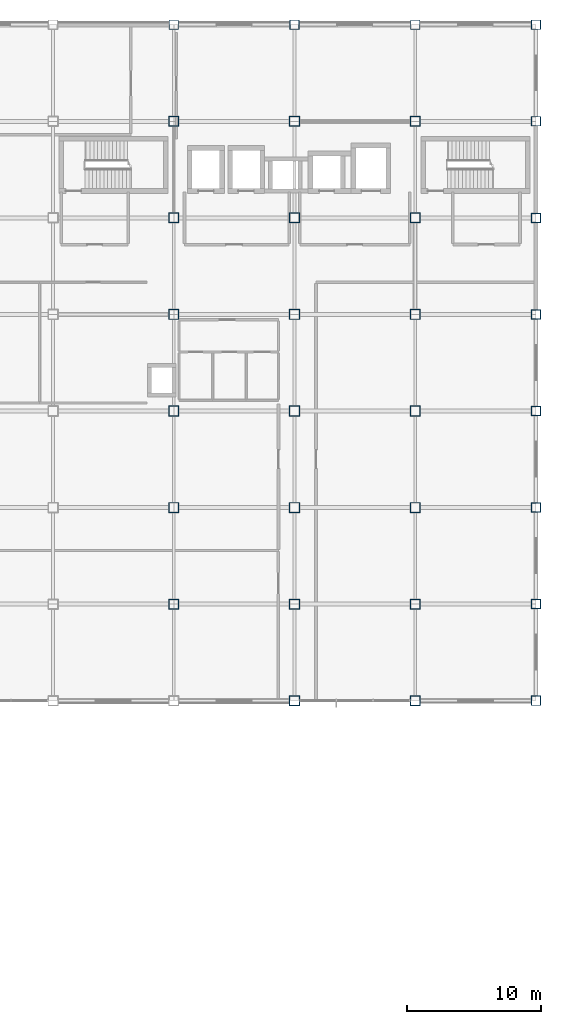
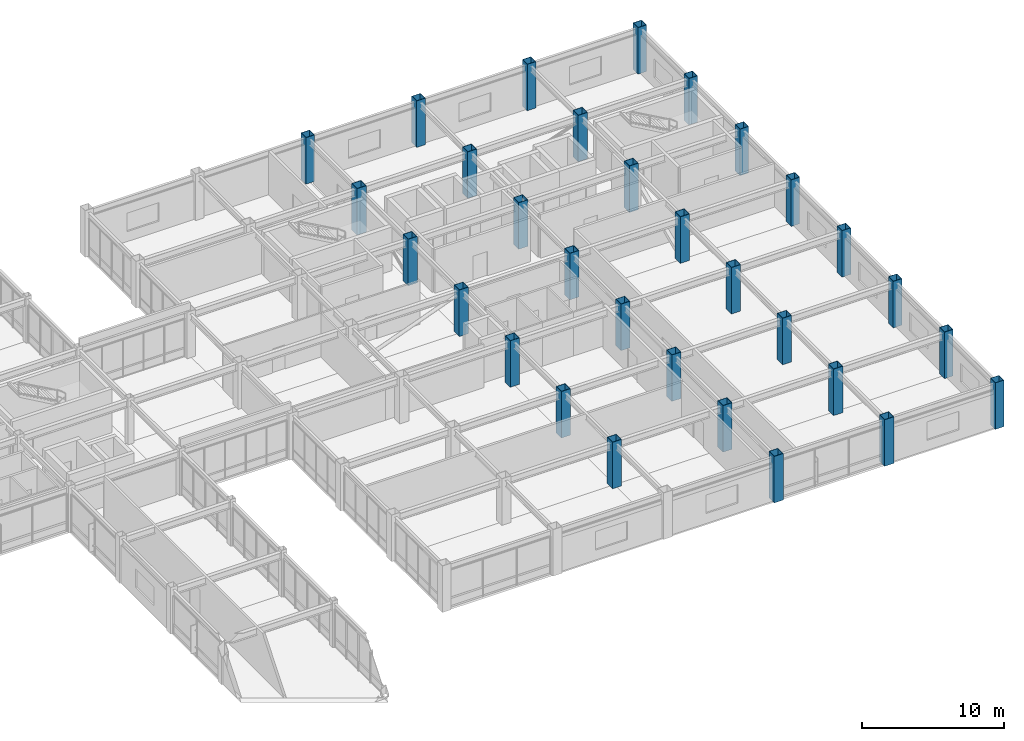
# One storey, part 10 of 122: 31 columns.
"""IFC4 building model written with IfcOpenShell, lengths in metres."""

import ifcopenshell
import ifcopenshell.guid

model = None  # the IFC model being written
_history = None  # IfcOwnerHistory: only IFC2X3 demands one
_inside = {}  # id of a spatial element -> (the spatial element, [elements in it])
_under = {}  # id of a project, library or spatial element -> (it, [spatial elements below it])
_declared = {}  # id of a project -> (the project, [libraries it declares])
_typed = {}  # id of a type object -> (the type object, [elements of that type])
_made_of = {}  # id of a material, layer set ... -> (it, [elements and type objects made of it])


def new_model(schema):
    """Start an empty IFC model of exactly this schema.

    Asked for "IFC4X3", IfcOpenShell would pick the latest addendum, in which some entities
    have other attributes; the version numbers below select the first issue.
    IFC2X3 requires an IfcOwnerHistory on every rooted entity: one is made here for all.
    """
    global model, _history
    if schema == "IFC4X3":
        model = ifcopenshell.file(schema_version=(4, 3, 0, 0))
    else:
        model = ifcopenshell.file(schema=schema)
    _inside.clear()
    _under.clear()
    _declared.clear()
    _typed.clear()
    _made_of.clear()
    _history = None
    if model.schema == "IFC2X3":
        org = make("IfcOrganization", Name="unknown")
        user = make(
            "IfcPersonAndOrganization",
            ThePerson=make("IfcPerson", FamilyName="unknown"),
            TheOrganization=org,
        )
        app = make(
            "IfcApplication",
            ApplicationDeveloper=org,
            Version="unknown",
            ApplicationFullName="unknown",
            ApplicationIdentifier="unknown",
        )
        _history = make(
            "IfcOwnerHistory",
            OwningUser=user,
            OwningApplication=app,
            ChangeAction="ADDED",
            CreationDate=0,
        )
    return model


def make(cls, **values):
    """One entity of the class cls with the attributes given. An attribute that is None is left unset."""
    return model.create_entity(
        cls, **{name: value for name, value in values.items() if value is not None}
    )


def rooted(cls, **values):
    """An entity with a GlobalId (a new one), such as an element, a storey or a relation."""
    return make(cls, GlobalId=ifcopenshell.guid.new(), OwnerHistory=_history, **values)


def si_unit(unit_type, name, prefix=None):
    """IfcSIUnit, for example si_unit("LENGTHUNIT", "METRE", prefix="MILLI")."""
    return make("IfcSIUnit", UnitType=unit_type, Prefix=prefix, Name=name)


def assignment(units):
    """IfcUnitAssignment: the units of a project."""
    return None if units is None else make("IfcUnitAssignment", Units=units)


def point(xyz):
    """IfcCartesianPoint."""
    return None if xyz is None else make("IfcCartesianPoint", Coordinates=xyz)


def direction(xyz):
    """IfcDirection."""
    return None if xyz is None else make("IfcDirection", DirectionRatios=xyz)


def frame(location, z_axis=None, x_axis=None):
    """IfcAxis2Placement3D, a coordinate frame: its origin and axes. An axis left out is left unset."""
    return make(
        "IfcAxis2Placement3D",
        Location=point(location),
        Axis=direction(z_axis),
        RefDirection=direction(x_axis),
    )


def frame_2d(location, x_axis=None):
    """IfcAxis2Placement2D, a coordinate frame in the plane: its origin and x axis."""
    return make(
        "IfcAxis2Placement2D", Location=point(location), RefDirection=direction(x_axis)
    )


def origin():
    """The frame at (0, 0, 0) with its axes left unset."""
    return frame((0.0, 0.0, 0.0))


def origin_2d():
    """The frame at (0, 0) in the plane with its x axis left unset."""
    return frame_2d((0.0, 0.0))


def place(relative_to, where):
    """IfcLocalPlacement: puts the frame where relative to a parent placement (None: the world)."""
    return make(
        "IfcLocalPlacement", PlacementRelTo=relative_to, RelativePlacement=where
    )


def context(
    kind, dimensions, precision=None, world=None, true_north=None, identifier=None
):
    """IfcGeometricRepresentationContext, for example the 3D "Model" context."""
    return make(
        "IfcGeometricRepresentationContext",
        ContextIdentifier=identifier,
        ContextType=kind,
        CoordinateSpaceDimension=dimensions,
        Precision=precision,
        WorldCoordinateSystem=world,
        TrueNorth=true_north,
    )


def subcontext(parent, identifier, kind, view, scale=None):
    """IfcGeometricRepresentationSubContext, for example "Body" below "Model"."""
    return make(
        "IfcGeometricRepresentationSubContext",
        ContextIdentifier=identifier,
        ContextType=kind,
        ParentContext=parent,
        TargetScale=scale,
        TargetView=view,
    )


def project(units=None, contexts=None):
    """IfcProject with its units and contexts."""
    return rooted(
        "IfcProject",
        Name="project",
        RepresentationContexts=contexts,
        UnitsInContext=assignment(units),
    )


def spatial(cls, under=None, at=None, **own):
    """A site, building, storey or space (cls), placed at a placement, below another one or the project."""
    s = rooted(cls, ObjectPlacement=at, **own)
    if under is not None:
        _under.setdefault(under.id(), (under, []))[1].append(s)
    return s


def profile(cls, at=None, kind="AREA", **sizes):
    """A parametric profile (cls). Its sizes go by their IFC names, for example OverallWidth=200.0."""
    return make(cls, ProfileType=kind, Position=at, **sizes)


def hollow_rectangle(**sizes):
    """IfcRectangleHollowProfileDef."""
    return profile("IfcRectangleHollowProfileDef", **sizes)


def extrude(swept, where, along, depth):
    """IfcExtrudedAreaSolid: the profile swept, set in the frame where, extruded along a direction by depth."""
    return make(
        "IfcExtrudedAreaSolid",
        SweptArea=swept,
        Position=where,
        ExtrudedDirection=direction(along),
        Depth=depth,
    )


def shape(context_of_items, identifier, shape_type, items):
    """IfcShapeRepresentation: the items that make up one representation, for example the "Body"."""
    return make(
        "IfcShapeRepresentation",
        ContextOfItems=context_of_items,
        RepresentationIdentifier=identifier,
        RepresentationType=shape_type,
        Items=items,
    )


def material(Name=None, Category=None):
    """IfcMaterial."""
    return make("IfcMaterial", Name=Name, Category=Category)


def material_profile(
    of_material, cross_section, Name=None, Category=None, Priority=None
):
    """IfcMaterialProfile: a cross section and its material."""
    return make(
        "IfcMaterialProfile",
        Name=Name,
        Material=of_material,
        Profile=cross_section,
        Priority=Priority,
        Category=Category,
    )


def profile_set(profiles, Name=None, composite=None):
    """IfcMaterialProfileSet."""
    return make(
        "IfcMaterialProfileSet",
        Name=Name,
        MaterialProfiles=profiles,
        CompositeProfile=composite,
    )


def made_of(thing, what):
    """Note that an element or type object is made of a material, layer set ...; save() writes the relation."""
    if what is not None:
        _made_of.setdefault(what.id(), (what, []))[1].append(thing)
    return thing


def type_object(cls, material=None, **own):
    """A type object (cls), such as IfcWallType, which elements share."""
    return made_of(rooted(cls, **own), material)


def element(
    cls,
    number,
    at=None,
    inside=None,
    cuts=None,
    type_object=None,
    material=None,
    context=None,
    identifier="Body",
    shape_type=None,
    held_by="IfcProductDefinitionShape",
    body=None,
    shapes=None,
    **own,
):
    """One element of the class cls, such as IfcWall. Its Tag is "e" and its number.

    at: its placement. inside: the storey or other place that contains it. cuts: it is an
    opening in that element (IfcRelVoidsElement). A single representation is given by context,
    identifier, shape_type and body (its items); several are given by shapes. held_by: the class
    of the entity that holds the representations. save() writes the other relations.
    """
    e = rooted(cls, Tag="e%d" % number, ObjectPlacement=at, **own)
    if body is not None:
        shapes = [shape(context, identifier, shape_type, body)]
    if shapes is not None:
        e.Representation = make(held_by, Representations=shapes)
    if inside is not None:
        _inside.setdefault(inside.id(), (inside, []))[1].append(e)
    if cuts is not None:
        rooted(
            "IfcRelVoidsElement", RelatingBuildingElement=cuts, RelatedOpeningElement=e
        )
    if type_object is not None:
        _typed.setdefault(type_object.id(), (type_object, []))[1].append(e)
    return made_of(e, material)


def aggregate(whole, parts):
    """IfcRelAggregates: a whole, such as a stair, and the parts it consists of."""
    return rooted("IfcRelAggregates", RelatingObject=whole, RelatedObjects=parts)


def save(model, path):
    """Write the relations noted so far, then the file.

    IfcRelAggregates (storeys below a building ...), IfcRelContainedInSpatialStructure (elements
    in a storey), IfcRelDefinesByType, IfcRelAssociatesMaterial and IfcRelDeclares: one each for
    every whole, place, type object, material and project.
    """
    for whole, parts in _under.values():
        aggregate(whole, parts)
    for where, things in _inside.values():
        rooted(
            "IfcRelContainedInSpatialStructure",
            RelatedElements=things,
            RelatingStructure=where,
        )
    for kind, things in _typed.values():
        rooted("IfcRelDefinesByType", RelatedObjects=things, RelatingType=kind)
    for what, things in _made_of.values():
        rooted("IfcRelAssociatesMaterial", RelatedObjects=things, RelatingMaterial=what)
    for by, libraries in _declared.values():
        rooted("IfcRelDeclares", RelatingContext=by, RelatedDefinitions=libraries)
    model.write(path)


model = new_model("IFC4")

# Units and contexts
model_context = context("Model", 3, precision=1e-05, world=origin(), true_north=direction((0.0, 1.0)))
body_context = subcontext(model_context, "Body", "Model", "MODEL_VIEW")
ifc_project = project(units=[si_unit("LENGTHUNIT", "METRE"), si_unit("AREAUNIT", "SQUARE_METRE"), si_unit("VOLUMEUNIT", "CUBIC_METRE"), si_unit("PLANEANGLEUNIT", "RADIAN"), si_unit("MASSUNIT", "GRAM", prefix="KILO")], contexts=[model_context])

# Site, building, storey
site_placement = place(None, origin())
site = spatial("IfcSite", under=ifc_project, at=site_placement, CompositionType="ELEMENT")
building_placement = place(site_placement, origin())
building = spatial("IfcBuilding", under=site, at=building_placement, Name="Kazanami Central Library", CompositionType="ELEMENT")
storey_placement = place(building_placement, frame((0.0, 0.0, 4.800048828125)))
storey = spatial("IfcBuildingStorey", under=building, at=storey_placement, Name="L02", CompositionType="ELEMENT", Elevation=4.800048828125)

# Columns
ifc_material = material(Name="Steel BCP325 (325 MPa)", Category="steel")
ifc_material_profile_1 = material_profile(ifc_material, hollow_rectangle(XDim=0.75, YDim=0.75, WallThickness=0.031982421875, at=origin_2d()), Name="BCP-750x750x32")
ifc_profile_set_1 = profile_set([ifc_material_profile_1], Name="Steel BCP325 (325 MPa)")
column_type_1 = type_object("IfcColumnType", Name="COL-C-T1I", PredefinedType="COLUMN", material=ifc_profile_set_1)
for number, where, z_axis, x_axis, name in (
    (1, (135.0, 50.39990234375, 0.0), (0.0, 0.0, 1.0), (1.0, 0.0, 0.0), "Column C-T1I L02 16/H"),
    (2, (135.0, 57.60009765625, 0.0), (0.0, 0.0, 1.0), (1.0, 0.0, 0.0), "Column C-T1I L02 16/J"),
    (3, (135.0, 64.800048828125, 0.0), (0.0, 0.0, 1.0), (1.0, 0.0, 0.0), "Column C-T1I L02 16/K"),
    (4, (135.0, 72.0, 0.0), (0.0, 0.0, 1.0), (1.0, 0.0, 0.0), "Column C-T1I L02 16/L"),
    (5, (135.0, 79.199951171875, 0.0), (0.0, 0.0, 1.0), (1.0, 0.0, 0.0), "Column C-T1I L02 16/M"),
    (6, (135.0, 86.39990234375, 0.0), (0.0, 0.0, 1.0), (1.0, 0.0, 0.0), "Column C-T1I L02 16/N"),
    (7, (144.0, 43.199951171875, 0.0), (0.0, 0.0, 1.0), (1.0, 0.0, 0.0), "Column C-T1I L02 17/G"),
    (8, (144.0, 50.39990234375, 0.0), (0.0, 0.0, 1.0), (1.0, 0.0, 0.0), "Column C-T1I L02 17/H"),
    (9, (144.0, 57.60009765625, 0.0), (0.0, 0.0, 1.0), (1.0, 0.0, 0.0), "Column C-T1I L02 17/J"),
    (10, (144.0, 64.800048828125, 0.0), (0.0, 0.0, 1.0), (1.0, 0.0, 0.0), "Column C-T1I L02 17/K"),
    (11, (144.0, 72.0, 0.0), (0.0, 0.0, 1.0), (1.0, 0.0, 0.0), "Column C-T1I L02 17/L"),
    (12, (144.0, 79.199951171875, 0.0), (0.0, 0.0, 1.0), (1.0, 0.0, 0.0), "Column C-T1I L02 17/M"),
    (13, (144.0, 86.39990234375, 0.0), (0.0, 0.0, 1.0), (1.0, 0.0, 0.0), "Column C-T1I L02 17/N"),
    (14, (153.0, 43.199951171875, 0.0), (0.0, 0.0, 1.0), (1.0, 0.0, 0.0), "Column C-T1I L02 18/G"),
    (15, (153.0, 50.39990234375, 0.0), (0.0, 0.0, 1.0), (1.0, 0.0, 0.0), "Column C-T1I L02 18/H"),
    (16, (153.0, 57.60009765625, 0.0), (0.0, 0.0, 1.0), (1.0, 0.0, 0.0), "Column C-T1I L02 18/J"),
    (17, (153.0, 64.800048828125, 0.0), (0.0, 0.0, 1.0), (1.0, 0.0, 0.0), "Column C-T1I L02 18/K"),
    (18, (153.0, 72.0, 0.0), (0.0, 0.0, 1.0), (1.0, 0.0, 0.0), "Column C-T1I L02 18/L"),
    (19, (153.0, 79.199951171875, 0.0), (0.0, 0.0, 1.0), (1.0, 0.0, 0.0), "Column C-T1I L02 18/M"),
    (20, (153.0, 86.39990234375, 0.0), (0.0, 0.0, 1.0), (1.0, 0.0, 0.0), "Column C-T1I L02 18/N"),
):
    element("IfcColumn", number, at=place(storey_placement, frame(where, z_axis=z_axis, x_axis=x_axis)), inside=storey, type_object=column_type_1, Name=name, PredefinedType="COLUMN", context=body_context, shape_type="SweptSolid", body=[
        extrude(hollow_rectangle(XDim=0.75, YDim=0.75, WallThickness=0.031982421875, at=origin_2d()), origin(), (0.0, 0.0, 1.0), 4.0),
    ])
ifc_material_profile_2 = material_profile(ifc_material, hollow_rectangle(XDim=0.699951171875, YDim=0.699951171875, WallThickness=0.028076171875, at=origin_2d()), Name="BCP-700x700x28")
ifc_profile_set_2 = profile_set([ifc_material_profile_2], Name="Steel BCP325 (325 MPa)")
column_type_2 = type_object("IfcColumnType", Name="COL-C-T1P", PredefinedType="COLUMN", material=ifc_profile_set_2)
for number, where, z_axis, x_axis, name in (
    (21, (135.0, 93.60009765625, 0.0), (0.0, 0.0, 1.0), (1.0, 0.0, 0.0), "Column C-T1P L02 16/O"),
    (22, (144.0, 93.60009765625, 0.0), (0.0, 0.0, 1.0), (1.0, 0.0, 0.0), "Column C-T1P L02 17/O"),
    (23, (153.0, 93.60009765625, 0.0), (0.0, 0.0, 1.0), (1.0, 0.0, 0.0), "Column C-T1P L02 18/O"),
    (24, (162.0, 43.199951171875, 0.0), (0.0, 0.0, 1.0), (1.0, 0.0, 0.0), "Column C-T1P L02 19/G"),
    (25, (162.0, 50.39990234375, 0.0), (0.0, 0.0, 1.0), (1.0, 0.0, 0.0), "Column C-T1P L02 19/H"),
    (26, (162.0, 57.60009765625, 0.0), (0.0, 0.0, 1.0), (1.0, 0.0, 0.0), "Column C-T1P L02 19/J"),
    (27, (162.0, 64.800048828125, 0.0), (0.0, 0.0, 1.0), (1.0, 0.0, 0.0), "Column C-T1P L02 19/K"),
    (28, (162.0, 72.0, 0.0), (0.0, 0.0, 1.0), (1.0, 0.0, 0.0), "Column C-T1P L02 19/L"),
    (29, (162.0, 79.199951171875, 0.0), (0.0, 0.0, 1.0), (1.0, 0.0, 0.0), "Column C-T1P L02 19/M"),
    (30, (162.0, 86.39990234375, 0.0), (0.0, 0.0, 1.0), (1.0, 0.0, 0.0), "Column C-T1P L02 19/N"),
    (31, (162.0, 93.60009765625, 0.0), (0.0, 0.0, 1.0), (1.0, 0.0, 0.0), "Column C-T1P L02 19/O"),
):
    element("IfcColumn", number, at=place(storey_placement, frame(where, z_axis=z_axis, x_axis=x_axis)), inside=storey, type_object=column_type_2, Name=name, PredefinedType="COLUMN", context=body_context, shape_type="SweptSolid", body=[
        extrude(hollow_rectangle(XDim=0.699951171875, YDim=0.699951171875, WallThickness=0.028076171875, at=origin_2d()), origin(), (0.0, 0.0, 1.0), 4.0),
    ])

save(model, "model.ifc")
